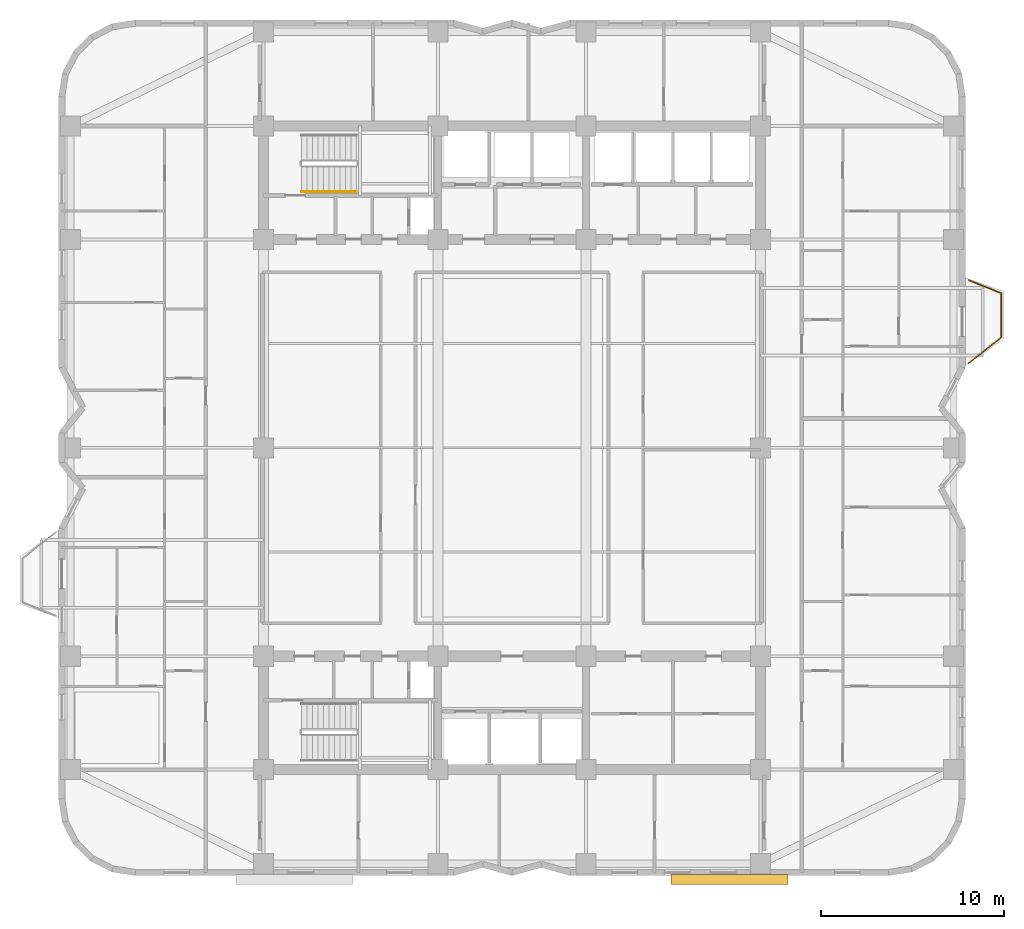
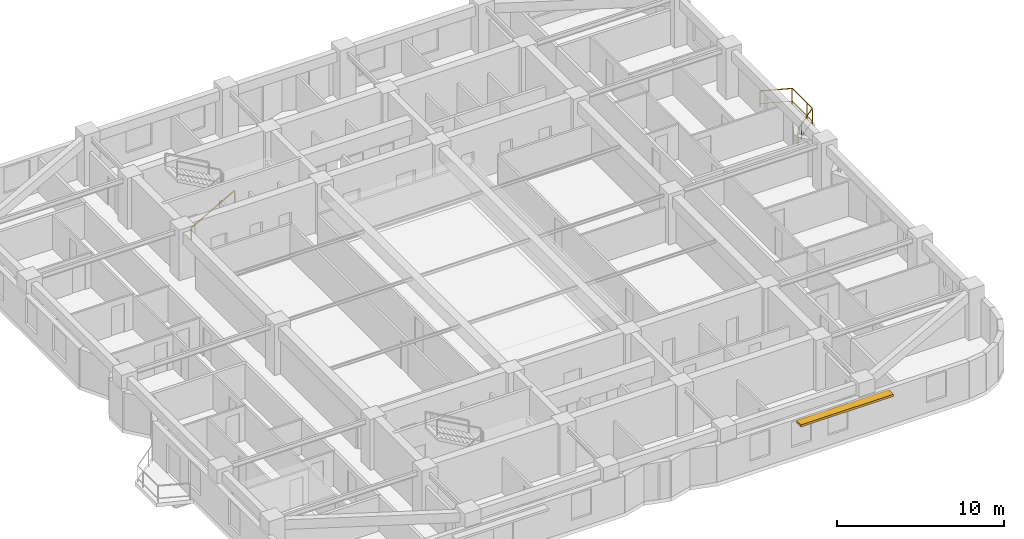
# One storey, part 9 of 10: 2 railings, 1 shading device.
"""IFC4 building model written with IfcOpenShell, lengths in metres."""

from ifc_helpers import new_model, si_unit, direction, frame, origin, origin_2d, place, context, subcontext, project, spatial, rectangle, extrude, material, layer, layer_set, type_object, element, save


model = new_model("IFC4")

# Units and contexts
model_context = context("Model", 3, precision=1e-05, world=origin(), true_north=direction((0.0, 1.0)))
body_context = subcontext(model_context, "Body", "Model", "MODEL_VIEW")
ifc_project = project(units=[si_unit("LENGTHUNIT", "METRE"), si_unit("AREAUNIT", "SQUARE_METRE"), si_unit("VOLUMEUNIT", "CUBIC_METRE"), si_unit("PLANEANGLEUNIT", "RADIAN"), si_unit("MASSUNIT", "GRAM", prefix="KILO")], contexts=[model_context])

# Site, building, storey
site_placement = place(None, origin())
site = spatial("IfcSite", under=ifc_project, at=site_placement, CompositionType="ELEMENT")
building_placement = place(site_placement, origin())
building = spatial("IfcBuilding", under=site, at=building_placement, Name="Svetorya Sky Lyceum", CompositionType="ELEMENT")
storey_placement = place(building_placement, frame((0.0, 0.0, 129.0)))
storey = spatial("IfcBuildingStorey", under=building, at=storey_placement, Name="L32", CompositionType="ELEMENT", Elevation=129.0)

# Railings
ifc_material_1 = material(Name="Laminated safety glass and stainless AISI 316", Category="glass")
railing_type_1 = type_object("IfcRailingType", Name="RL-BAL-1200", PredefinedType="BALUSTRADE", material=ifc_material_1)
railing_1_placement = place(storey_placement, frame((64.169921875, 37.3798828125, 0.0)))
element("IfcRailing", 1, at=railing_1_placement, inside=storey, type_object=railing_type_1, Name="L32 Balcony Balustrade BAL-E1", PredefinedType="BALUSTRADE", context=body_context, shape_type="SweptSolid", body=[
    extrude(rectangle(XDim=0.048095703125, YDim=0.048095703125, at=origin_2d()), frame((0.0, 0.0, 1.17578125), z_axis=(0.926697865975, -0.375807218129, 0.0), x_axis=(0.375807218129, 0.926697865975, 0.0)), (0.0, 0.0, 1.0), 1.9423828125),
    extrude(rectangle(XDim=0.02392578125, YDim=0.02392578125, at=origin_2d()), frame((0.0, 0.0, 0.25), z_axis=(0.926697865975, -0.375807218129, 0.0), x_axis=(0.375807218129, 0.926697865975, 0.0)), (0.0, 0.0, 1.0), 1.9423828125),
    extrude(rectangle(XDim=0.048095703125, YDim=0.048095703125, at=origin_2d()), frame((1.800048828125, -0.72998046875, 1.17578125), z_axis=(0.0, -1.0, 0.0), x_axis=(1.0, 0.0, 0.0)), (0.0, 0.0, 1.0), 2.39990234375),
    extrude(rectangle(XDim=0.02392578125, YDim=0.02392578125, at=origin_2d()), frame((1.800048828125, -0.72998046875, 0.25), z_axis=(0.0, -1.0, 0.0), x_axis=(1.0, 0.0, 0.0)), (0.0, 0.0, 1.0), 2.39990234375),
    extrude(rectangle(XDim=0.048095703125, YDim=0.048095703125, at=origin_2d()), frame((1.800048828125, -3.1298828125, 1.17578125), z_axis=(-0.783008919264, -0.622010476079, 0.0), x_axis=(0.622010476079, -0.783008919264, 0.0)), (0.0, 0.0, 1.0), 2.298828125),
    extrude(rectangle(XDim=0.02392578125, YDim=0.02392578125, at=origin_2d()), frame((1.800048828125, -3.1298828125, 0.25), z_axis=(-0.783008919264, -0.622010476079, 0.0), x_axis=(0.622010476079, -0.783008919264, 0.0)), (0.0, 0.0, 1.0), 2.298828125),
    extrude(rectangle(XDim=0.0419921875, YDim=0.0419921875, at=origin_2d()), origin(), (0.0, 0.0, 1.0), 1.15185546875),
    extrude(rectangle(XDim=0.0419921875, YDim=0.0419921875, at=origin_2d()), frame((1.800048828125, -0.72998046875, 0.0)), (0.0, 0.0, 1.0), 1.15185546875),
    extrude(rectangle(XDim=0.0419921875, YDim=0.0419921875, at=origin_2d()), frame((1.800048828125, -2.47998046875, 0.0)), (0.0, 0.0, 1.0), 1.15185546875),
    extrude(rectangle(XDim=0.0419921875, YDim=0.0419921875, at=origin_2d()), frame((1.800048828125, -3.1298828125, 0.0)), (0.0, 0.0, 1.0), 1.15185546875),
    extrude(rectangle(XDim=0.0419921875, YDim=0.0419921875, at=origin_2d()), frame((0.4296875, -4.218505859375, 0.0)), (0.0, 0.0, 1.0), 1.15185546875),
    extrude(rectangle(XDim=0.0419921875, YDim=0.0419921875, at=origin_2d()), frame((0.0, -4.559814453125, 0.0)), (0.0, 0.0, 1.0), 1.15185546875),
])
ifc_material_2 = material(Name="Brushed stainless AISI 304 stair handrail")
railing_type_2 = type_object("IfcRailingType", Name="RL-STR-HAND-920", PredefinedType="HANDRAIL", material=ifc_material_2)
railing_2_placement = place(storey_placement, frame((27.699951171875, 42.199951171875, 0.168212890625)))
element("IfcRailing", 2, at=railing_2_placement, inside=storey, type_object=railing_type_2, Name="L32 ST-N stair handrail 1", PredefinedType="HANDRAIL", context=body_context, shape_type="SweptSolid", body=[
    extrude(rectangle(XDim=0.048095703125, YDim=0.048095703125, at=origin_2d()), frame((0.0, 0.0, 0.8759765625), z_axis=(0.872272294576, 0.0, 0.489020494575), x_axis=(0.0, 1.0, 0.0)), (0.0, 0.0, 1.0), 3.439208984375),
    extrude(rectangle(XDim=0.0419921875, YDim=0.0419921875, at=origin_2d()), origin(), (0.0, 0.0, 1.0), 0.851806640625),
    extrude(rectangle(XDim=0.0419921875, YDim=0.0419921875, at=origin_2d()), frame((3.0, 0.0, 1.681884765625)), (0.0, 0.0, 1.0), 0.851806640625),
])

# Shading device
ifc_material_3 = material(Name="Champagne-anodized extruded aluminium sunshade", Category="aluminium")
ifc_layer = layer(ifc_material_3, 0.159912109375)
ifc_layer_set = layer_set([ifc_layer], Name="Champagne-anodized extruded aluminium sunshade")
shading_device_type = type_object("IfcShadingDeviceType", Name="SHD-LVR-540", PredefinedType="AWNING", material=ifc_layer_set)
shading_device_placement = place(storey_placement, frame((51.10009765625, 4.580078125, 2.39990234375), z_axis=(0.0, 0.0, 1.0), x_axis=(1.0, 0.0, 0.0)))
element("IfcShadingDevice", 3, at=shading_device_placement, inside=storey, type_object=shading_device_type, Name="L32 Solar Brise-Soleil SHD-1.11M", PredefinedType="AWNING", context=body_context, shape_type="SweptSolid", body=[
    extrude(rectangle(XDim=6.39990234375, YDim=0.5400390625, at=origin_2d()), origin(), (0.0, 0.0, 1.0), 0.159912109375),
])

save(model, "model.ifc")
